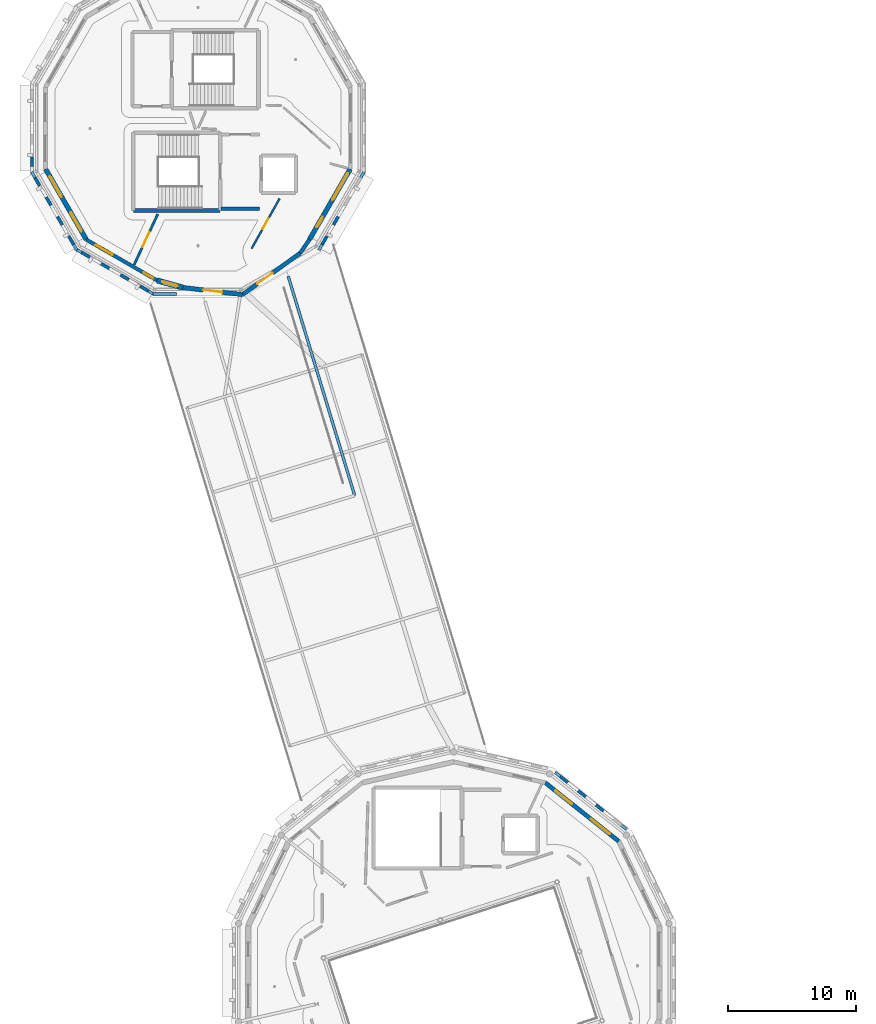
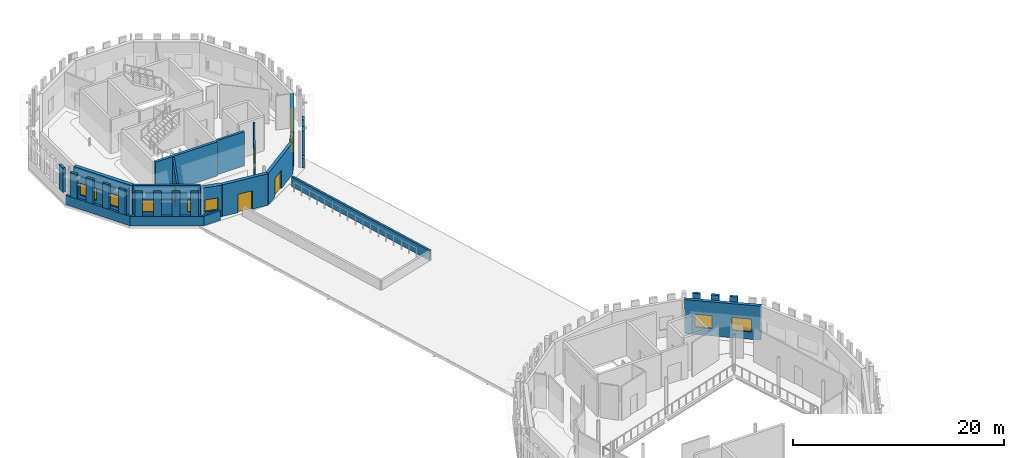
# One storey, part 38 of 68: 32 walls, 9 windows, 4 doors, 13 openings.
"""IFC4 building model written with IfcOpenShell, lengths in metres."""

from ifc_helpers import new_model, si_unit, direction, frame, frame_2d, origin, place, context, subcontext, project, spatial, rectangle, extrude, material, layer, layer_set, type_object, element, fill, save


model = new_model("IFC4")

# Units and contexts
model_context = context("Model", 3, precision=1e-05, world=origin(), true_north=direction((0.0, 1.0)))
body_context = subcontext(model_context, "Body", "Model", "MODEL_VIEW")
ifc_project = project(units=[si_unit("LENGTHUNIT", "METRE"), si_unit("AREAUNIT", "SQUARE_METRE"), si_unit("VOLUMEUNIT", "CUBIC_METRE"), si_unit("PLANEANGLEUNIT", "RADIAN"), si_unit("MASSUNIT", "GRAM", prefix="KILO")], contexts=[model_context])

# Site, building, storey
site_placement = place(None, origin())
site = spatial("IfcSite", under=ifc_project, at=site_placement, CompositionType="ELEMENT")
building_placement = place(site_placement, origin())
building = spatial("IfcBuilding", under=site, at=building_placement, Name="Wrenclough Park School", CompositionType="ELEMENT")
storey_placement = place(building_placement, frame((0.0, 0.0, 12.60009765625)))
storey = spatial("IfcBuildingStorey", under=building, at=storey_placement, Name="L03", CompositionType="ELEMENT", Elevation=12.60009765625)

# Walls
ifc_material_1 = material(Name="Perforated open-bond Staffordshire and Manchester brick screen pier", Category="masonry")
ifc_layer_1 = layer(ifc_material_1, 0.2451171875)
ifc_layer_set_1 = layer_set([ifc_layer_1], Name="Perforated open-bond Staffordshire and Manchester brick screen pier")
wall_type_1 = type_object("IfcWallType", Name="ENV-BS-PR245", PredefinedType="ELEMENTEDWALL", material=ifc_layer_set_1)
for number, where, z_axis, x_axis, name in (
    (1, (48.19970703125, 36.1357421875, 1.08984375), (0.0, 0.0, 1.0), (-0.781819359776, 0.623505002931, 0.0), "D2 L03 perforated brick screen pier 0708"),
    (2, (46.802734375, 37.25, 1.08984375), (0.0, 0.0, 1.0), (-0.781819359776, 0.623505002931, 0.0), "D2 L03 perforated brick screen pier 0709"),
    (3, (45.405517578125, 38.3642578125, 1.08984375), (0.0, 0.0, 1.0), (-0.781819359776, 0.623505002931, 0.0), "D2 L03 perforated brick screen pier 0710"),
):
    element("IfcWall", number, at=place(storey_placement, frame(where, z_axis=z_axis, x_axis=x_axis)), inside=storey, type_object=wall_type_1, Name=name, PredefinedType="ELEMENTEDWALL", context=body_context, shape_type="SweptSolid", body=[
        extrude(rectangle(XDim=0.7509765625, YDim=0.2451171875, at=frame_2d((0.37548828125, 0.0))), origin(), (0.0, 0.0, 1.0), 2.85009765625),
    ])
for number, where, z_axis, x_axis, name in (
    (4, (3.54345703125, 87.2294921875, 1.08984375), (0.0, 0.0, 1.0), (0.0, -1.0, 0.0), "D3 L03 perforated brick screen pier 0782"),
    (5, (3.7744140625, 85.6279296875, 1.08984375), (0.0, 0.0, 1.0), (0.500189527592, -0.865915952323, 0.0), "D3 L03 perforated brick screen pier 0783"),
):
    element("IfcWall", number, at=place(storey_placement, frame(where, z_axis=z_axis, x_axis=x_axis)), inside=storey, type_object=wall_type_1, Name=name, PredefinedType="ELEMENTEDWALL", context=body_context, shape_type="SweptSolid", body=[
        extrude(rectangle(XDim=0.739013671875, YDim=0.2451171875, at=frame_2d((0.36962890625, 0.0))), origin(), (0.0, 0.0, 1.0), 2.85009765625),
    ])
wall_1_placement = place(storey_placement, frame((4.654541015625, 84.103759765625, 1.08984375), z_axis=(0.0, 0.0, 1.0), x_axis=(0.499941746681, -0.866059033742, 0.0)))
element("IfcWall", 6, at=wall_1_placement, inside=storey, type_object=wall_type_1, Name="D3 L03 perforated brick screen pier 0784", PredefinedType="ELEMENTEDWALL", context=body_context, shape_type="SweptSolid", body=[
    extrude(rectangle(XDim=0.73876953125, YDim=0.2451171875, at=frame_2d((0.369384765625, 0.0))), origin(), (0.0, 0.0, 1.0), 2.85009765625),
])
for number, where, z_axis, x_axis, name in (
    (7, (5.534423828125, 82.57958984375, 1.08984375), (0.0, 0.0, 1.0), (0.500189527592, -0.865915952323, 0.0), "D3 L03 perforated brick screen pier 0785"),
    (8, (6.41455078125, 81.055419921875, 1.08984375), (0.0, 0.0, 1.0), (0.499798711192, -0.866141586746, 0.0), "D3 L03 perforated brick screen pier 0786"),
    (9, (7.415283203125, 79.783935546875, 1.08984375), (0.0, 0.0, 1.0), (0.866141586746, -0.499798711192, 0.0), "D3 L03 perforated brick screen pier 0787"),
    (10, (8.939697265625, 78.904052734375, 1.08984375), (0.0, 0.0, 1.0), (0.865915952323, -0.500189527592, 0.0), "D3 L03 perforated brick screen pier 0788"),
):
    element("IfcWall", number, at=place(storey_placement, frame(where, z_axis=z_axis, x_axis=x_axis)), inside=storey, type_object=wall_type_1, Name=name, PredefinedType="ELEMENTEDWALL", context=body_context, shape_type="SweptSolid", body=[
        extrude(rectangle(XDim=0.739013671875, YDim=0.2451171875, at=frame_2d((0.36962890625, 0.0))), origin(), (0.0, 0.0, 1.0), 2.85009765625),
    ])
wall_2_placement = place(storey_placement, frame((10.4638671875, 78.02392578125, 1.08984375), z_axis=(0.0, 0.0, 1.0), x_axis=(0.866059033742, -0.499941746681, 0.0)))
element("IfcWall", 11, at=wall_2_placement, inside=storey, type_object=wall_type_1, Name="D3 L03 perforated brick screen pier 0789", PredefinedType="ELEMENTEDWALL", context=body_context, shape_type="SweptSolid", body=[
    extrude(rectangle(XDim=0.73876953125, YDim=0.2451171875, at=frame_2d((0.369384765625, 0.0))), origin(), (0.0, 0.0, 1.0), 2.85009765625),
])
for number, where, z_axis, x_axis, name in (
    (12, (11.988037109375, 77.14404296875, 1.08984375), (0.0, 0.0, 1.0), (0.865915952323, -0.500189527592, 0.0), "D3 L03 perforated brick screen pier 0790"),
    (13, (26.216064453125, 80.415283203125, 1.08984375), (0.0, 0.0, 1.0), (0.499798711192, 0.866141586746, 0.0), "D3 L03 perforated brick screen pier 0791"),
    (14, (27.095947265625, 81.939697265625, 1.08984375), (0.0, 0.0, 1.0), (0.500189527592, 0.865915952323, 0.0), "D3 L03 perforated brick screen pier 0792"),
):
    element("IfcWall", number, at=place(storey_placement, frame(where, z_axis=z_axis, x_axis=x_axis)), inside=storey, type_object=wall_type_1, Name=name, PredefinedType="ELEMENTEDWALL", context=body_context, shape_type="SweptSolid", body=[
        extrude(rectangle(XDim=0.739013671875, YDim=0.2451171875, at=frame_2d((0.36962890625, 0.0))), origin(), (0.0, 0.0, 1.0), 2.85009765625),
    ])
ifc_material_2 = material(Name="Open-bond Manchester multi-stock brick spandrel screen", Category="masonry")
ifc_layer_2 = layer(ifc_material_2, 0.22509765625)
ifc_layer_set_2 = layer_set([ifc_layer_2], Name="Open-bond Manchester multi-stock brick spandrel screen")
wall_type_2 = type_object("IfcWallType", Name="ENV-BS-SP225", PredefinedType="ELEMENTEDWALL", material=ifc_layer_set_2)
wall_3_placement = place(storey_placement, frame((50.001953125, 34.69873046875, 0.0), z_axis=(0.0, 0.0, 1.0), x_axis=(-0.781830872194, 0.623490567118, 0.0)))
element("IfcWall", 15, at=wall_3_placement, inside=storey, type_object=wall_type_2, Name="D2 L03 open-bond brick screen spandrel 0190", PredefinedType="ELEMENTEDWALL", context=body_context, shape_type="SweptSolid", body=[
    extrude(rectangle(XDim=7.148193359375, YDim=0.22509765625, at=frame_2d((3.57421875, 0.0))), origin(), (0.0, 0.0, 1.0), 1.08984375),
])
for number, where, z_axis, x_axis, name in (
    (16, (3.519287109375, 86.070068359375, 0.0), (0.0, 0.0, 1.0), (0.500010639957, -0.866019260715, 0.0), "D3 L03 open-bond brick screen spandrel 0209"),
    (17, (6.973388671875, 80.039306640625, 0.0), (0.0, 0.0, 1.0), (0.866019260715, -0.500010639957, 0.0), "D3 L03 open-bond brick screen spandrel 0210"),
):
    element("IfcWall", number, at=place(storey_placement, frame(where, z_axis=z_axis, x_axis=x_axis)), inside=storey, type_object=wall_type_2, Name=name, PredefinedType="ELEMENTEDWALL", context=body_context, shape_type="SweptSolid", body=[
        extrude(rectangle(XDim=7.039794921875, YDim=0.22509765625, at=frame_2d((3.52001953125, 0.0))), origin(), (0.0, 0.0, 1.0), 1.08984375),
    ])
wall_4_placement = place(storey_placement, frame((12.97998046875, 76.54345703125, 0.0), z_axis=(0.0, 0.0, 1.0), x_axis=(1.0, 0.0, 0.0)))
element("IfcWall", 18, at=wall_4_placement, inside=storey, type_object=wall_type_2, Name="D3 L03 open-bond brick screen spandrel 0211", PredefinedType="ELEMENTEDWALL", context=body_context, shape_type="SweptSolid", body=[
    extrude(rectangle(XDim=1.85693359375, YDim=0.22509765625, at=frame_2d((0.928466796875, 0.0))), origin(), (0.0, 0.0, 1.0), 1.08984375),
])
wall_5_placement = place(storey_placement, frame((25.960693359375, 79.973388671875, 0.0), z_axis=(0.0, 0.0, 1.0), x_axis=(0.500010639957, 0.866019260715, 0.0)))
element("IfcWall", 19, at=wall_5_placement, inside=storey, type_object=wall_type_2, Name="D3 L03 open-bond brick screen spandrel 0212", PredefinedType="ELEMENTEDWALL", context=body_context, shape_type="SweptSolid", body=[
    extrude(rectangle(XDim=7.039794921875, YDim=0.22509765625, at=frame_2d((3.52001953125, 0.0))), origin(), (0.0, 0.0, 1.0), 1.08984375),
])

# Wall, openings, windows
ifc_material_3 = material(Name="Link wing brick-faced cavity wall Concrete C32/40", Category="masonry")
ifc_layer_3 = layer(ifc_material_3, 0.27490234375)
ifc_layer_set_3 = layer_set([ifc_layer_3], Name="Link wing brick-faced cavity wall Concrete C32/40")
wall_type_3 = type_object("IfcWallType", Name="ENV-EW-275", PredefinedType="SOLIDWALL", material=ifc_layer_set_3)
wall_6_placement = place(storey_placement, frame((13.309814453125, 77.59423828125, 0.0), z_axis=(0.0, 0.0, 1.0), x_axis=(-0.866044766488, 0.499966461314, 0.0)))
wall_6 = element("IfcWall", 20, at=wall_6_placement, inside=storey, type_object=wall_type_3, Name="L03 insulated brick external wall 0334", PredefinedType="SOLIDWALL", context=body_context, shape_type="SweptSolid", body=[
    extrude(rectangle(XDim=6.38037109375, YDim=0.27490234375, at=frame_2d((3.190185546875, 0.0))), origin(), (0.0, 0.0, 1.0), 3.93994140625),
])
opening_1_placement = place(wall_6_placement, frame((0.35009765625, 0.0, 0.85009765625)))
opening_1 = element("IfcOpeningElement", 21, at=opening_1_placement, cuts=wall_6, Name="Opening WN-01", PredefinedType="OPENING", context=body_context, shape_type="SweptSolid", body=[
    extrude(rectangle(XDim=0.85009765625, YDim=1.39990234375, at=frame_2d((0.425048828125, 0.699951171875))), frame((0.0, 0.1474609375, 0.0), z_axis=(0.0, -1.0, 0.0), x_axis=(1.0, 0.0, 0.0)), (0.0, 0.0, 1.0), 0.294921875),
])
opening_2_placement = place(wall_6_placement, frame((4.01025390625, 0.0, 0.85009765625)))
opening_2 = element("IfcOpeningElement", 22, at=opening_2_placement, cuts=wall_6, Name="Opening WN-06", PredefinedType="OPENING", context=body_context, shape_type="SweptSolid", body=[
    extrude(rectangle(XDim=1.550048828125, YDim=1.39990234375, at=frame_2d((0.77490234375, 0.699951171875))), frame((0.0, 0.1474609375, 0.0), z_axis=(0.0, -1.0, 0.0), x_axis=(1.0, 0.0, 0.0)), (0.0, 0.0, 1.0), 0.294921875),
])
ifc_material_4 = material(Name="Thermally broken aluminium and double-glazed low-e glass", Category="aluminium")
window_type_1 = type_object("IfcWindowType", Name="ENV-WN-01", PartitioningType="SINGLE_PANEL", PredefinedType="WINDOW", material=ifc_material_4)
window_1_placement = place(opening_1_placement, origin())
window_1 = element("IfcWindow", 23, at=window_1_placement, inside=storey, type_object=window_type_1, Name="L03 scheduled facade window 0564", OverallHeight=1.39990234375, OverallWidth=0.85009765625, PartitioningType="SINGLE_PANEL", PredefinedType="WINDOW", context=body_context, shape_type="SweptSolid", body=[
    extrude(rectangle(XDim=0.85009765625, YDim=1.39990234375, at=frame_2d((0.425048828125, 0.699951171875))), frame((0.0, 0.030029296875, 0.0), z_axis=(0.0, -1.0, 0.0), x_axis=(1.0, 0.0, 0.0)), (0.0, 0.0, 1.0), 0.06005859375),
])
fill(opening_1, window_1)
window_type_2 = type_object("IfcWindowType", Name="ENV-WN-06", PartitioningType="DOUBLE_PANEL_VERTICAL", PredefinedType="WINDOW", material=ifc_material_4)
window_2_placement = place(opening_2_placement, origin())
window_2 = element("IfcWindow", 24, at=window_2_placement, inside=storey, type_object=window_type_2, Name="L03 scheduled facade window 0565", OverallHeight=1.39990234375, OverallWidth=1.550048828125, PartitioningType="SINGLE_PANEL", PredefinedType="WINDOW", context=body_context, shape_type="SweptSolid", body=[
    extrude(rectangle(XDim=1.550048828125, YDim=1.39990234375, at=frame_2d((0.77490234375, 0.699951171875))), frame((0.0, 0.030029296875, 0.0), z_axis=(0.0, -1.0, 0.0), x_axis=(1.0, 0.0, 0.0)), (0.0, 0.0, 1.0), 0.06005859375),
])
fill(opening_2, window_2)

# Wall
ifc_material_5 = material(Name="Manchester multi-stock brick and Concrete C32/40 inner leaf", Category="masonry")
ifc_layer_4 = layer(ifc_material_5, 0.300048828125)
ifc_layer_set_4 = layer_set([ifc_layer_4], Name="Manchester multi-stock brick and Concrete C32/40 inner leaf")
wall_type_4 = type_object("IfcWallType", Name="ENV-EW-300", PredefinedType="SOLIDWALL", material=ifc_layer_set_4)
wall_7_placement = place(storey_placement, frame((25.2158203125, 80.7841796875, 0.0), z_axis=(0.0, 0.0, 1.0), x_axis=(-0.565003973453, -0.825088183155, 0.0)))
element("IfcWall", 25, at=wall_7_placement, inside=storey, type_object=wall_type_4, Name="L03 insulated brick external wall 0344", PredefinedType="SOLIDWALL", context=body_context, shape_type="SweptSolid", body=[
    extrude(rectangle(XDim=1.28515625, YDim=0.300048828125, at=frame_2d((0.642578125, 0.0))), origin(), (0.0, 0.0, 1.0), 3.93994140625),
])

# Wall, openings, windows
ifc_layer_5 = layer(ifc_material_5, 0.324951171875)
ifc_layer_set_5 = layer_set([ifc_layer_5], Name="Manchester multi-stock brick and Concrete C32/40 inner leaf")
wall_type_5 = type_object("IfcWallType", Name="ENV-EW-325", PredefinedType="SOLIDWALL", material=ifc_layer_set_5)
wall_8_placement = place(storey_placement, frame((43.649169921875, 38.34521484375, 0.0), z_axis=(0.0, 0.0, 1.0), x_axis=(0.781819636461, -0.623504655992, 0.0)))
wall_8 = element("IfcWall", 26, at=wall_8_placement, inside=storey, type_object=wall_type_5, Name="L03 insulated brick external wall 0329", PredefinedType="SOLIDWALL", context=body_context, shape_type="SweptSolid", body=[
    extrude(rectangle(XDim=7.332763671875, YDim=0.324951171875, at=frame_2d((3.66650390625, 0.0))), origin(), (0.0, 0.0, 1.0), 3.93994140625),
])
opening_3_placement = place(wall_8_placement, frame((1.00830078125, 0.0, 0.85009765625)))
opening_3 = element("IfcOpeningElement", 27, at=opening_3_placement, cuts=wall_8, Name="Opening WN-52", PredefinedType="OPENING", context=body_context, shape_type="SweptSolid", body=[
    extrude(rectangle(XDim=1.64990234375, YDim=1.5, at=frame_2d((0.824951171875, 0.75))), frame((0.0, 0.17236328125, 0.0), z_axis=(0.0, -1.0, 0.0), x_axis=(1.0, 0.0, 0.0)), (0.0, 0.0, 1.0), 0.344970703125),
])
opening_4_placement = place(wall_8_placement, frame((4.549560546875, 0.0, 0.85009765625)))
opening_4 = element("IfcOpeningElement", 28, at=opening_4_placement, cuts=wall_8, Name="Opening WN-53", PredefinedType="OPENING", context=body_context, shape_type="SweptSolid", body=[
    extrude(rectangle(XDim=1.89990234375, YDim=1.5, at=frame_2d((0.949951171875, 0.75))), frame((0.0, 0.17236328125, 0.0), z_axis=(0.0, -1.0, 0.0), x_axis=(1.0, 0.0, 0.0)), (0.0, 0.0, 1.0), 0.344970703125),
])
window_type_3 = type_object("IfcWindowType", Name="ENV-WN-52", PartitioningType="DOUBLE_PANEL_VERTICAL", PredefinedType="WINDOW", material=ifc_material_4)
window_3_placement = place(opening_3_placement, origin())
window_3 = element("IfcWindow", 29, at=window_3_placement, inside=storey, type_object=window_type_3, Name="L03 scheduled facade window 0555", OverallHeight=1.5, OverallWidth=1.64990234375, PartitioningType="SINGLE_PANEL", PredefinedType="WINDOW", context=body_context, shape_type="SweptSolid", body=[
    extrude(rectangle(XDim=1.64990234375, YDim=1.5, at=frame_2d((0.824951171875, 0.75))), frame((0.0, 0.030029296875, 0.0), z_axis=(0.0, -1.0, 0.0), x_axis=(1.0, 0.0, 0.0)), (0.0, 0.0, 1.0), 0.06005859375),
])
fill(opening_3, window_3)
window_type_4 = type_object("IfcWindowType", Name="ENV-WN-53", PartitioningType="DOUBLE_PANEL_VERTICAL", PredefinedType="WINDOW", material=ifc_material_4)
window_4_placement = place(opening_4_placement, origin())
window_4 = element("IfcWindow", 30, at=window_4_placement, inside=storey, type_object=window_type_4, Name="L03 scheduled facade window 0556", OverallHeight=1.5, OverallWidth=1.89990234375, PartitioningType="SINGLE_PANEL", PredefinedType="WINDOW", context=body_context, shape_type="SweptSolid", body=[
    extrude(rectangle(XDim=1.89990234375, YDim=1.5, at=frame_2d((0.949951171875, 0.75))), frame((0.0, 0.030029296875, 0.0), z_axis=(0.0, -1.0, 0.0), x_axis=(1.0, 0.0, 0.0)), (0.0, 0.0, 1.0), 0.06005859375),
])
fill(opening_4, window_4)

# Wall, opening, door
wall_9_placement = place(storey_placement, frame((24.48974609375, 79.723876953125, 0.0), z_axis=(0.0, 0.0, 1.0), x_axis=(-0.811613642217, -0.584194570128, 0.0)))
wall_9 = element("IfcWall", 31, at=wall_9_placement, inside=storey, type_object=wall_type_5, Name="L03 insulated brick external wall 0345", PredefinedType="SOLIDWALL", context=body_context, shape_type="SweptSolid", body=[
    extrude(rectangle(XDim=5.546875, YDim=0.324951171875, at=frame_2d((2.7734375, 0.0))), origin(), (0.0, 0.0, 1.0), 3.656982421875),
])
opening_5_placement = place(wall_9_placement, frame((2.6435546875, 0.0, 0.0)))
opening_5 = element("IfcOpeningElement", 32, at=opening_5_placement, cuts=wall_9, Name="Opening DPD-PD-2-1", PredefinedType="OPENING", context=body_context, shape_type="SweptSolid", body=[
    extrude(rectangle(XDim=1.47998046875, YDim=2.1201171875, at=frame_2d((0.739990234375, 1.06005859375))), frame((0.0, 0.17236328125, 0.0), z_axis=(0.0, -1.0, 0.0), x_axis=(1.0, 0.0, 0.0)), (0.0, 0.0, 1.0), 0.344970703125),
])
ifc_material_6 = material(Name="Thermally broken powder-coated aluminium and laminated safety glass", Category="aluminium")
door_type_1 = type_object("IfcDoorType", Name="DR-PD148", OperationType="NOTDEFINED", PredefinedType="DOOR", material=ifc_material_6)
door_1_placement = place(opening_5_placement, origin())
door_1 = element("IfcDoor", 33, at=door_1_placement, inside=storey, type_object=door_type_1, Name="Play deck PD-2 access door 1", OperationType="DOUBLE_DOOR_SINGLE_SWING", OverallHeight=2.1201171875, OverallWidth=1.47998046875, PredefinedType="DOOR", context=body_context, shape_type="SweptSolid", body=[
    extrude(rectangle(XDim=1.47998046875, YDim=2.1201171875, at=frame_2d((0.739990234375, 1.06005859375))), frame((0.0, 0.02490234375, 0.0), z_axis=(0.0, -1.0, 0.0), x_axis=(1.0, 0.0, 0.0)), (0.0, 0.0, 1.0), 0.050048828125),
])
fill(opening_5, door_1)

ifc_material_7 = material(Name="Staffordshire blue-grey brick and Concrete C35/45 inner leaf", Category="masonry")
ifc_layer_6 = layer(ifc_material_7, 0.35009765625)
ifc_layer_set_6 = layer_set([ifc_layer_6], Name="Staffordshire blue-grey brick and Concrete C35/45 inner leaf")
wall_type_6 = type_object("IfcWallType", Name="ENV-EW-350", PredefinedType="SOLIDWALL", material=ifc_layer_set_6)
wall_10_placement = place(storey_placement, frame((19.98779296875, 76.4833984375, 0.0), z_axis=(0.0, 0.0, 1.0), x_axis=(-0.99299262894, 0.118176304187, 0.0)))
wall_10 = element("IfcWall", 34, at=wall_10_placement, inside=storey, type_object=wall_type_6, Name="L03 insulated brick external wall 0346", PredefinedType="SOLIDWALL", context=body_context, shape_type="SweptSolid", body=[
    extrude(rectangle(XDim=4.699951171875, YDim=0.35009765625, at=frame_2d((2.35009765625, 0.0))), origin(), (0.0, 0.0, 1.0), 3.656982421875),
])
opening_6_placement = place(wall_10_placement, frame((1.60986328125, 0.0, 0.0)))
opening_6 = element("IfcOpeningElement", 35, at=opening_6_placement, cuts=wall_10, Name="Opening DPD-PD-2-2", PredefinedType="OPENING", context=body_context, shape_type="SweptSolid", body=[
    extrude(rectangle(XDim=1.47998046875, YDim=2.1201171875, at=frame_2d((0.739990234375, 1.06005859375))), frame((0.0, 0.18505859375, 0.0), z_axis=(0.0, -1.0, 0.0), x_axis=(1.0, 0.0, 0.0)), (0.0, 0.0, 1.0), 0.3701171875),
])
door_2_placement = place(opening_6_placement, origin())
door_2 = element("IfcDoor", 36, at=door_2_placement, inside=storey, type_object=door_type_1, Name="Play deck PD-2 access door 2", OperationType="DOUBLE_DOOR_SINGLE_SWING", OverallHeight=2.1201171875, OverallWidth=1.47998046875, PredefinedType="DOOR", context=body_context, shape_type="SweptSolid", body=[
    extrude(rectangle(XDim=1.47998046875, YDim=2.1201171875, at=frame_2d((0.739990234375, 1.06005859375))), frame((0.0, 0.02490234375, 0.0), z_axis=(0.0, -1.0, 0.0), x_axis=(1.0, 0.0, 0.0)), (0.0, 0.0, 1.0), 0.050048828125),
])
fill(opening_6, door_2)

# Wall, openings, windows
ifc_material_8 = material(Name="Faceted courtyard brick-cavity wall Concrete C35/45", Category="masonry")
ifc_layer_7 = layer(ifc_material_8, 0.364990234375)
ifc_layer_set_7 = layer_set([ifc_layer_7], Name="Faceted courtyard brick-cavity wall Concrete C35/45")
wall_type_7 = type_object("IfcWallType", Name="ENV-EW-365", PredefinedType="SOLIDWALL", material=ifc_layer_set_7)
wall_11_placement = place(storey_placement, frame((7.7841796875, 80.7841796875, 0.0), z_axis=(0.0, 0.0, 1.0), x_axis=(-0.499966461314, 0.866044766488, 0.0)))
wall_11 = element("IfcWall", 37, at=wall_11_placement, inside=storey, type_object=wall_type_7, Name="L03 insulated brick external wall 0335", PredefinedType="SOLIDWALL", context=body_context, shape_type="SweptSolid", body=[
    extrude(rectangle(XDim=6.38037109375, YDim=0.364990234375, at=frame_2d((3.190185546875, 0.0))), origin(), (0.0, 0.0, 1.0), 3.93994140625),
])
opening_7_placement = place(wall_11_placement, frame((0.7451171875, 0.0, 0.85009765625)))
opening_7 = element("IfcOpeningElement", 38, at=opening_7_placement, cuts=wall_11, Name="Opening WN-07", PredefinedType="OPENING", context=body_context, shape_type="SweptSolid", body=[
    extrude(rectangle(XDim=1.699951171875, YDim=1.39990234375, at=frame_2d((0.85009765625, 0.699951171875))), frame((0.0, 0.1923828125, 0.0), z_axis=(0.0, -1.0, 0.0), x_axis=(1.0, 0.0, 0.0)), (0.0, 0.0, 1.0), 0.385009765625),
])
opening_8_placement = place(wall_11_placement, frame((3.860107421875, 0.0, 0.85009765625)))
opening_8 = element("IfcOpeningElement", 39, at=opening_8_placement, cuts=wall_11, Name="Opening WN-08", PredefinedType="OPENING", context=body_context, shape_type="SweptSolid", body=[
    extrude(rectangle(XDim=1.85009765625, YDim=1.39990234375, at=frame_2d((0.925048828125, 0.699951171875))), frame((0.0, 0.1923828125, 0.0), z_axis=(0.0, -1.0, 0.0), x_axis=(1.0, 0.0, 0.0)), (0.0, 0.0, 1.0), 0.385009765625),
])
window_type_5 = type_object("IfcWindowType", Name="ENV-WN-07", PartitioningType="DOUBLE_PANEL_VERTICAL", PredefinedType="WINDOW", material=ifc_material_4)
window_5_placement = place(opening_7_placement, origin())
window_5 = element("IfcWindow", 40, at=window_5_placement, inside=storey, type_object=window_type_5, Name="L03 scheduled facade window 0566", OverallHeight=1.39990234375, OverallWidth=1.699951171875, PartitioningType="SINGLE_PANEL", PredefinedType="WINDOW", context=body_context, shape_type="SweptSolid", body=[
    extrude(rectangle(XDim=1.699951171875, YDim=1.39990234375, at=frame_2d((0.85009765625, 0.699951171875))), frame((0.0, 0.030029296875, 0.0), z_axis=(0.0, -1.0, 0.0), x_axis=(1.0, 0.0, 0.0)), (0.0, 0.0, 1.0), 0.06005859375),
])
fill(opening_7, window_5)
window_type_6 = type_object("IfcWindowType", Name="ENV-WN-08", PartitioningType="DOUBLE_PANEL_VERTICAL", PredefinedType="WINDOW", material=ifc_material_4)
window_6_placement = place(opening_8_placement, origin())
window_6 = element("IfcWindow", 41, at=window_6_placement, inside=storey, type_object=window_type_6, Name="L03 scheduled facade window 0567", OverallHeight=1.39990234375, OverallWidth=1.85009765625, PartitioningType="SINGLE_PANEL", PredefinedType="WINDOW", context=body_context, shape_type="SweptSolid", body=[
    extrude(rectangle(XDim=1.85009765625, YDim=1.39990234375, at=frame_2d((0.925048828125, 0.699951171875))), frame((0.0, 0.030029296875, 0.0), z_axis=(0.0, -1.0, 0.0), x_axis=(1.0, 0.0, 0.0)), (0.0, 0.0, 1.0), 0.06005859375),
])
fill(opening_8, window_6)

wall_12_placement = place(storey_placement, frame((28.40576171875, 86.309814453125, 0.0), z_axis=(0.0, 0.0, 1.0), x_axis=(-0.499966461314, -0.866044766488, 0.0)))
wall_12 = element("IfcWall", 42, at=wall_12_placement, inside=storey, type_object=wall_type_7, Name="L03 insulated brick external wall 0343", PredefinedType="SOLIDWALL", context=body_context, shape_type="SweptSolid", body=[
    extrude(rectangle(XDim=6.38037109375, YDim=0.364990234375, at=frame_2d((3.190185546875, 0.0))), origin(), (0.0, 0.0, 1.0), 3.93994140625),
])
opening_9_placement = place(wall_12_placement, frame((0.39501953125, 0.0, 0.85009765625)))
opening_9 = element("IfcOpeningElement", 43, at=opening_9_placement, cuts=wall_12, Name="Opening WN-23", PredefinedType="OPENING", context=body_context, shape_type="SweptSolid", body=[
    extrude(rectangle(XDim=2.39990234375, YDim=1.60009765625, at=frame_2d((1.199951171875, 0.800048828125))), frame((0.0, 0.1923828125, 0.0), z_axis=(0.0, -1.0, 0.0), x_axis=(1.0, 0.0, 0.0)), (0.0, 0.0, 1.0), 0.385009765625),
])
opening_10_placement = place(wall_12_placement, frame((4.335205078125, 0.0, 0.85009765625)))
opening_10 = element("IfcOpeningElement", 44, at=opening_10_placement, cuts=wall_12, Name="Opening WN-13", PredefinedType="OPENING", context=body_context, shape_type="SweptSolid", body=[
    extrude(rectangle(XDim=0.89990234375, YDim=1.60009765625, at=frame_2d((0.449951171875, 0.800048828125))), frame((0.0, 0.1923828125, 0.0), z_axis=(0.0, -1.0, 0.0), x_axis=(1.0, 0.0, 0.0)), (0.0, 0.0, 1.0), 0.385009765625),
])
window_type_7 = type_object("IfcWindowType", Name="ENV-WN-13", PartitioningType="SINGLE_PANEL", PredefinedType="WINDOW", material=ifc_material_4)
window_7_placement = place(opening_10_placement, origin())
window_7 = element("IfcWindow", 45, at=window_7_placement, inside=storey, type_object=window_type_7, Name="L03 scheduled facade window 0583", OverallHeight=1.60009765625, OverallWidth=0.89990234375, PartitioningType="SINGLE_PANEL", PredefinedType="WINDOW", context=body_context, shape_type="SweptSolid", body=[
    extrude(rectangle(XDim=0.89990234375, YDim=1.60009765625, at=frame_2d((0.449951171875, 0.800048828125))), frame((0.0, 0.030029296875, 0.0), z_axis=(0.0, -1.0, 0.0), x_axis=(1.0, 0.0, 0.0)), (0.0, 0.0, 1.0), 0.06005859375),
])
fill(opening_10, window_7)
window_type_8 = type_object("IfcWindowType", Name="ENV-WN-23", PartitioningType="DOUBLE_PANEL_VERTICAL", PredefinedType="WINDOW", material=ifc_material_4)
window_8_placement = place(opening_9_placement, origin())
window_8 = element("IfcWindow", 46, at=window_8_placement, inside=storey, type_object=window_type_8, Name="L03 scheduled facade window 0582", OverallHeight=1.60009765625, OverallWidth=2.39990234375, PartitioningType="SINGLE_PANEL", PredefinedType="WINDOW", context=body_context, shape_type="SweptSolid", body=[
    extrude(rectangle(XDim=2.39990234375, YDim=1.60009765625, at=frame_2d((1.199951171875, 0.800048828125))), frame((0.0, 0.030029296875, 0.0), z_axis=(0.0, -1.0, 0.0), x_axis=(1.0, 0.0, 0.0)), (0.0, 0.0, 1.0), 0.06005859375),
])
fill(opening_9, window_8)

# Wall, opening, window
ifc_material_9 = material(Name="Insulated brick-clad sports hall wall Concrete C40/50", Category="masonry")
ifc_layer_8 = layer(ifc_material_9, 0.425048828125)
ifc_layer_set_8 = layer_set([ifc_layer_8], Name="Insulated brick-clad sports hall wall Concrete C40/50")
wall_type_8 = type_object("IfcWallType", Name="ENV-EW-425", PredefinedType="SOLIDWALL", material=ifc_layer_set_8)
wall_13_placement = place(storey_placement, frame((15.32080078125, 77.038818359375, 0.0), z_axis=(0.0, 0.0, 1.0), x_axis=(-0.963910851193, 0.266225225988, 0.0)))
wall_13 = element("IfcWall", 47, at=wall_13_placement, inside=storey, type_object=wall_type_8, Name="L03 insulated brick external wall 0333", PredefinedType="SOLIDWALL", context=body_context, shape_type="SweptSolid", body=[
    extrude(rectangle(XDim=2.086181640625, YDim=0.425048828125, at=frame_2d((1.04296875, 0.0))), origin(), (0.0, 0.0, 1.0), 3.656982421875),
])
opening_11_placement = place(wall_13_placement, frame((0.418212890625, 0.0, 0.85009765625)))
opening_11 = element("IfcOpeningElement", 48, at=opening_11_placement, cuts=wall_13, Name="Opening WN-04", PredefinedType="OPENING", context=body_context, shape_type="SweptSolid", body=[
    extrude(rectangle(XDim=1.25, YDim=1.39990234375, at=frame_2d((0.625, 0.699951171875))), frame((0.0, 0.222412109375, 0.0), z_axis=(0.0, -1.0, 0.0), x_axis=(1.0, 0.0, 0.0)), (0.0, 0.0, 1.0), 0.445068359375),
])
window_type_9 = type_object("IfcWindowType", Name="ENV-WN-04", PartitioningType="SINGLE_PANEL", PredefinedType="WINDOW", material=ifc_material_4)
window_9_placement = place(opening_11_placement, origin())
window_9 = element("IfcWindow", 49, at=window_9_placement, inside=storey, type_object=window_type_9, Name="L03 scheduled facade window 0563", OverallHeight=1.39990234375, OverallWidth=1.25, PartitioningType="SINGLE_PANEL", PredefinedType="WINDOW", context=body_context, shape_type="SweptSolid", body=[
    extrude(rectangle(XDim=1.25, YDim=1.39990234375, at=frame_2d((0.625, 0.699951171875))), frame((0.0, 0.030029296875, 0.0), z_axis=(0.0, -1.0, 0.0), x_axis=(1.0, 0.0, 0.0)), (0.0, 0.0, 1.0), 0.06005859375),
])
fill(opening_11, window_9)

# Walls
ifc_material_10 = material(Name="Capped Staffordshire blue-grey brick parapet", Category="masonry")
ifc_layer_9 = layer(ifc_material_10, 0.215087890625)
ifc_layer_set_9 = layer_set([ifc_layer_9], Name="Capped Staffordshire blue-grey brick parapet")
wall_type_9 = type_object("IfcWallType", Name="ENV-PW-215", PredefinedType="PARAPET", material=ifc_layer_set_9)
wall_14_placement = place(storey_placement, frame((28.75390625, 60.785888671875, 0.0), z_axis=(0.0, 0.0, 1.0), x_axis=(-0.290012314587, 0.957022913722, 0.0)))
element("IfcWall", 50, at=wall_14_placement, inside=storey, type_object=wall_type_9, Name="Play deck PD-2 dividing parapet wall 004", PredefinedType="PARAPET", context=body_context, shape_type="SweptSolid", body=[
    extrude(rectangle(XDim=17.906494140625, YDim=0.215087890625, at=frame_2d((8.953125, 0.0))), origin(), (0.0, 0.0, 1.0), 1.14990234375),
])
ifc_material_11 = material(Name="Concrete C35/45", Category="concrete")
ifc_layer_10 = layer(ifc_material_11, 0.25)
ifc_layer_set_10 = layer_set([ifc_layer_10], Name="Concrete C35/45")
wall_type_10 = type_object("IfcWallType", Name="INT-CW-250", PredefinedType="SHEAR", material=ifc_layer_set_10)
wall_15_placement = place(storey_placement, frame((18.300048828125, 83.199951171875, 0.0), z_axis=(0.0, 0.0, 1.0), x_axis=(1.0, 0.0, 0.0)))
element("IfcWall", 51, at=wall_15_placement, inside=storey, type_object=wall_type_10, Name="Core C3 L03 lobby fire wall south", PredefinedType="SHEAR", context=body_context, shape_type="SweptSolid", body=[
    extrude(rectangle(XDim=3.0, YDim=0.25, at=frame_2d((1.5, 0.0))), origin(), (0.0, 0.0, 1.0), 3.949951171875),
])
ifc_material_12 = material(Name="Concrete C40/50", Category="concrete")
ifc_layer_11 = layer(ifc_material_12, 0.2900390625)
ifc_layer_set_11 = layer_set([ifc_layer_11], Name="Concrete C40/50")
wall_type_11 = type_object("IfcWallType", Name="INT-CW-290", PredefinedType="SHEAR", material=ifc_layer_set_11)
wall_16_placement = place(storey_placement, frame((11.455078125, 83.054931640625, 0.0), z_axis=(0.0, 0.0, 1.0), x_axis=(1.0, 0.0, 0.0)))
element("IfcWall", 52, at=wall_16_placement, inside=storey, type_object=wall_type_11, Name="Core C3 L03 south shear wall", PredefinedType="SHEAR", context=body_context, shape_type="SweptSolid", body=[
    extrude(rectangle(XDim=6.7900390625, YDim=0.2900390625, at=frame_2d((3.39501953125, 0.0))), origin(), (0.0, 0.0, 1.0), 3.949951171875),
])

# Wall, opening, door
ifc_material_13 = material(Name="Protected corridor partition", Category="gypsum")
ifc_layer_12 = layer(ifc_material_13, 0.14990234375)
ifc_layer_set_12 = layer_set([ifc_layer_12], Name="Protected corridor partition")
wall_type_12 = type_object("IfcWallType", Name="INT-PW-150", PredefinedType="PARTITIONING", material=ifc_layer_set_12)
wall_17_placement = place(storey_placement, frame((20.702392578125, 80.08740234375, 0.0), z_axis=(0.0, 0.0, 1.0), x_axis=(0.488053581958, 0.872813669198, 0.0)))
wall_17 = element("IfcWall", 53, at=wall_17_placement, inside=storey, type_object=wall_type_12, Name="L03 internal partition 0465", PredefinedType="PARTITIONING", context=body_context, shape_type="SweptSolid", body=[
    extrude(rectangle(XDim=4.4765625, YDim=0.14990234375, at=frame_2d((2.23828125, 0.0))), origin(), (0.0, 0.0, 1.0), 3.93994140625),
])
opening_12_placement = place(wall_17_placement, frame((1.75830078125, 0.0, 0.0)))
opening_12 = element("IfcOpeningElement", 54, at=opening_12_placement, cuts=wall_17, Name="Opening DR-L03-092", PredefinedType="OPENING", context=body_context, shape_type="SweptSolid", body=[
    extrude(rectangle(XDim=0.9599609375, YDim=2.080078125, at=frame_2d((0.47998046875, 1.0400390625))), frame((0.0, 0.0849609375, 0.0), z_axis=(0.0, -1.0, 0.0), x_axis=(1.0, 0.0, 0.0)), (0.0, 0.0, 1.0), 0.169921875),
])
ifc_material_14 = material(Name="General teaching room single door assembly", Category="wood")
door_type_2 = type_object("IfcDoorType", Name="INT-DR-CL096", OperationType="NOTDEFINED", PredefinedType="DOOR", material=ifc_material_14)
door_3_placement = place(opening_12_placement, origin())
door_3 = element("IfcDoor", 55, at=door_3_placement, inside=storey, type_object=door_type_2, Name="Architecture Design Classroom door DR-L03-092", OperationType="SINGLE_SWING_LEFT", OverallHeight=2.080078125, OverallWidth=0.9599609375, PredefinedType="DOOR", context=body_context, shape_type="SweptSolid", body=[
    extrude(rectangle(XDim=0.9599609375, YDim=2.080078125, at=frame_2d((0.47998046875, 1.0400390625))), frame((0.0, 0.02490234375, 0.0), z_axis=(0.0, -1.0, 0.0), x_axis=(1.0, 0.0, 0.0)), (0.0, 0.0, 1.0), 0.050048828125),
])
fill(opening_12, door_3)

ifc_material_15 = material(Name="Laboratory fire and acoustic partition", Category="gypsum")
ifc_layer_13 = layer(ifc_material_15, 0.18505859375)
ifc_layer_set_13 = layer_set([ifc_layer_13], Name="Laboratory fire and acoustic partition")
wall_type_13 = type_object("IfcWallType", Name="INT-PW-185", PredefinedType="PARTITIONING", material=ifc_layer_set_13)
wall_18_placement = place(storey_placement, frame((11.51806640625, 78.81640625, 0.0), z_axis=(0.0, 0.0, 1.0), x_axis=(0.422625522364, 0.906304401317, 0.0)))
wall_18 = element("IfcWall", 56, at=wall_18_placement, inside=storey, type_object=wall_type_13, Name="L03 internal partition 0464", PredefinedType="PARTITIONING", context=body_context, shape_type="SweptSolid", body=[
    extrude(rectangle(XDim=4.37060546875, YDim=0.18505859375, at=frame_2d((2.185302734375, 0.0))), origin(), (0.0, 0.0, 1.0), 3.93994140625),
])
opening_13_placement = place(wall_18_placement, frame((1.54541015625, 0.0, 0.0)))
opening_13 = element("IfcOpeningElement", 57, at=opening_13_placement, cuts=wall_18, Name="Opening DR-L03-091", PredefinedType="OPENING", context=body_context, shape_type="SweptSolid", body=[
    extrude(rectangle(XDim=1.280029296875, YDim=2.139892578125, at=frame_2d((0.64013671875, 1.06982421875))), frame((0.0, 0.1025390625, 0.0), z_axis=(0.0, -1.0, 0.0), x_axis=(1.0, 0.0, 0.0)), (0.0, 0.0, 1.0), 0.205078125),
])
ifc_material_16 = material(Name="Junior science laboratory leaf-and-a-half door assembly", Category="wood")
door_type_3 = type_object("IfcDoorType", Name="INT-DR-LAB128", OperationType="NOTDEFINED", PredefinedType="DOOR", material=ifc_material_16)
door_4_placement = place(opening_13_placement, origin())
door_4 = element("IfcDoor", 58, at=door_4_placement, inside=storey, type_object=door_type_3, Name="Applied Physics Science Laboratory door DR-L03-091", OperationType="SINGLE_SWING_RIGHT", OverallHeight=2.139892578125, OverallWidth=1.280029296875, PredefinedType="DOOR", context=body_context, shape_type="SweptSolid", body=[
    extrude(rectangle(XDim=1.280029296875, YDim=2.139892578125, at=frame_2d((0.64013671875, 1.06982421875))), frame((0.0, 0.02490234375, 0.0), z_axis=(0.0, -1.0, 0.0), x_axis=(1.0, 0.0, 0.0)), (0.0, 0.0, 1.0), 0.050048828125),
])
fill(opening_13, door_4)

save(model, "model.ifc")
